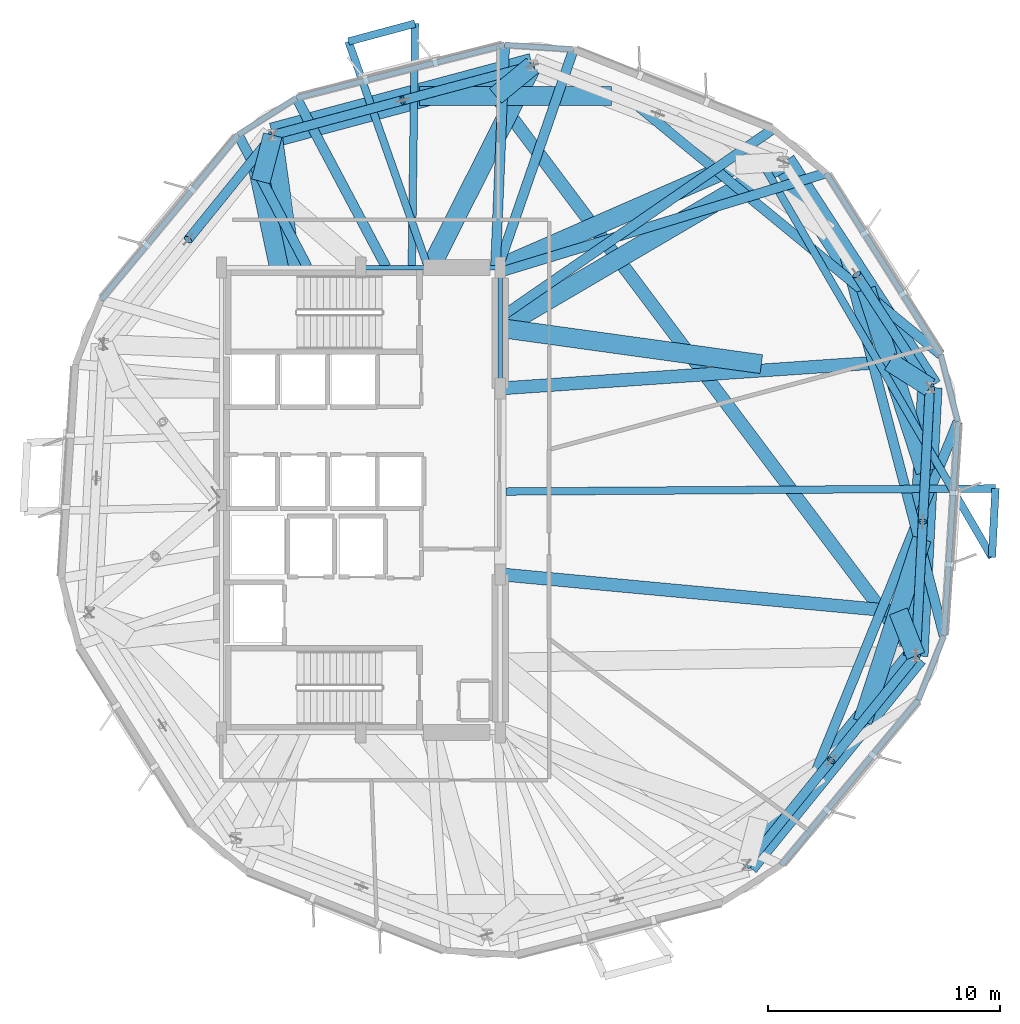
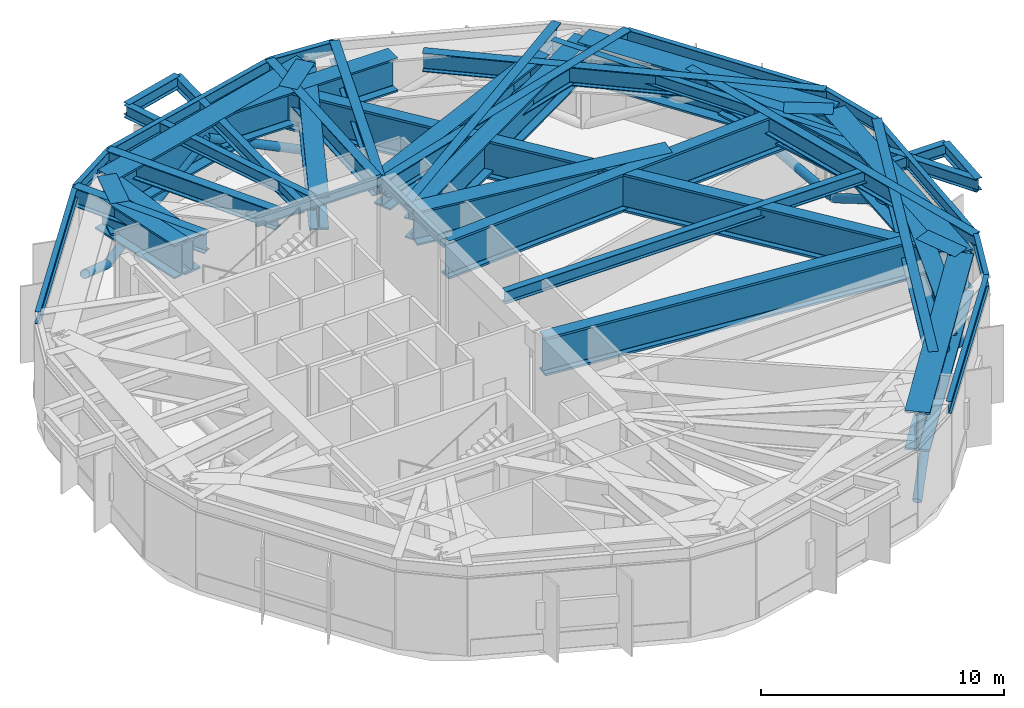
# One storey, part 4 of 13: 46 beams, 8 members.
"""IFC4 building model written with IfcOpenShell, lengths in metres."""

from ifc_helpers import new_model, si_unit, direction, frame, origin, origin_2d, place, context, subcontext, project, spatial, hollow_circle, i_section, extrude, material, material_profile, profile_set, type_object, element, save


model = new_model("IFC4")

# Units and contexts
model_context = context("Model", 3, precision=1e-05, world=origin(), true_north=direction((0.0, 1.0)))
body_context = subcontext(model_context, "Body", "Model", "MODEL_VIEW")
ifc_project = project(units=[si_unit("LENGTHUNIT", "METRE"), si_unit("AREAUNIT", "SQUARE_METRE"), si_unit("VOLUMEUNIT", "CUBIC_METRE"), si_unit("PLANEANGLEUNIT", "RADIAN"), si_unit("MASSUNIT", "GRAM", prefix="KILO")], contexts=[model_context])

# Site, building, storey
site_placement = place(None, origin())
site = spatial("IfcSite", under=ifc_project, at=site_placement, CompositionType="ELEMENT")
building_placement = place(site_placement, origin())
building = spatial("IfcBuilding", under=site, at=building_placement, Name="Soratama Intermodal Tower", CompositionType="ELEMENT")
storey_placement = place(building_placement, frame((0.0, 0.0, 82.60009765625)))
storey = spatial("IfcBuildingStorey", under=building, at=storey_placement, Name="L19", CompositionType="ELEMENT", Elevation=82.60009765625)

# Beams
ifc_material_1 = material(Name="Structural steel ASTM A992 Grade 50", Category="steel")
ifc_material_profile_1 = material_profile(ifc_material_1, i_section(OverallWidth=0.324951171875, OverallDepth=0.615966796875, WebThickness=0.013916015625, FlangeThickness=0.021484375, FilletRadius=0.013916015625, at=origin_2d()), Name="W24X117")
ifc_profile_set_1 = profile_set([ifc_material_profile_1], Name="Structural steel ASTM A992 Grade 50")
beam_type_1 = type_object("IfcBeamType", Name="BM-CANT-W24X117", PredefinedType="BEAM", material=ifc_profile_set_1)
for number, where, z_axis, x_axis, name in (
    (1, (65.7529296875, 22.5380859375, 4.19189453125), (0.052320977967, 0.99863031962, 0.0), (-0.99863031962, 0.052320977967, 0.0), "BM-L19-CBHDR-1"),
    (2, (40.927978515625, 45.498046875, 4.19189453125), (-0.96590869404, -0.258882975064, 0.0), (0.258882975064, -0.96590869404, 0.0), "BM-L19-CBHDR-2"),
):
    element("IfcBeam", number, at=place(storey_placement, frame(where, z_axis=z_axis, x_axis=x_axis)), inside=storey, type_object=beam_type_1, Name=name, PredefinedType="BEAM", context=body_context, shape_type="SweptSolid", body=[
        extrude(i_section(OverallWidth=0.324951171875, OverallDepth=0.615966796875, WebThickness=0.013916015625, FlangeThickness=0.021484375, FilletRadius=0.013916015625, at=origin_2d()), origin(), (0.0, 0.0, 1.0), 2.963134765625),
    ])
beam_1_placement = place(storey_placement, frame((55.587890625, 39.97900390625, 4.19189453125), z_axis=(0.503544640292, -0.863969209655, 0.0), x_axis=(0.863969209655, 0.503544640292, 0.0)))
element("IfcBeam", 3, at=beam_1_placement, inside=storey, type_object=beam_type_1, Name="BM-L19-CANT-1-1", PredefinedType="BEAM", context=body_context, shape_type="SweptSolid", body=[
    extrude(i_section(OverallWidth=0.324951171875, OverallDepth=0.615966796875, WebThickness=0.013916015625, FlangeThickness=0.021484375, FilletRadius=0.013916015625, at=origin_2d()), origin(), (0.0, 0.0, 1.0), 20.18701171875),
])
beam_2_placement = place(storey_placement, frame((44.8349609375, 25.364013671875, 4.19189453125), z_axis=(0.999980066779, 0.006313956281, 0.0), x_axis=(-0.006313956281, 0.999980066779, 0.0)))
element("IfcBeam", 4, at=beam_2_placement, inside=storey, type_object=beam_type_1, Name="BM-L19-CANT-1-2", PredefinedType="BEAM", context=body_context, shape_type="SweptSolid", body=[
    extrude(i_section(OverallWidth=0.324951171875, OverallDepth=0.615966796875, WebThickness=0.013916015625, FlangeThickness=0.021484375, FilletRadius=0.013916015625, at=origin_2d()), origin(), (0.0, 0.0, 1.0), 21.073486328125),
])
beam_3_placement = place(storey_placement, frame((40.7890625, 35.0400390625, 4.19189453125), z_axis=(0.013282048005, 0.99991178971, 0.0), x_axis=(-0.99991178971, 0.013282048005, 0.0)))
element("IfcBeam", 5, at=beam_3_placement, inside=storey, type_object=beam_type_1, Name="BM-L19-CANT-2-1", PredefinedType="BEAM", context=body_context, shape_type="SweptSolid", body=[
    extrude(i_section(OverallWidth=0.324951171875, OverallDepth=0.615966796875, WebThickness=0.013916015625, FlangeThickness=0.021484375, FilletRadius=0.013916015625, at=origin_2d()), origin(), (0.0, 0.0, 1.0), 10.458984375),
])
beam_4_placement = place(storey_placement, frame((41.472900390625, 35.0380859375, 4.19189453125), z_axis=(-0.331605469137, 0.943418153757, 0.0), x_axis=(-0.943418153757, -0.331605469137, 0.0)))
element("IfcBeam", 6, at=beam_4_placement, inside=storey, type_object=beam_type_1, Name="BM-L19-CANT-2-2", PredefinedType="BEAM", context=body_context, shape_type="SweptSolid", body=[
    extrude(i_section(OverallWidth=0.324951171875, OverallDepth=0.615966796875, WebThickness=0.013916015625, FlangeThickness=0.021484375, FilletRadius=0.013916015625, at=origin_2d()), origin(), (0.0, 0.0, 1.0), 10.274169921875),
])
ifc_material_2 = material(Name="Structural steel ASTM A992 Grade 50", Category="steel")
ifc_material_profile_2 = material_profile(ifc_material_2, i_section(OverallWidth=0.19091796875, OverallDepth=0.4599609375, WebThickness=0.010009765625, FlangeThickness=0.01611328125, FilletRadius=0.010986328125, at=origin_2d()), Name="W18X55")
ifc_profile_set_2 = profile_set([ifc_material_profile_2], Name="Structural steel ASTM A992 Grade 50")
beam_type_2 = type_object("IfcBeamType", Name="BM-FLR-W18X55", PredefinedType="BEAM", material=ifc_profile_set_2)
beam_5_placement = place(storey_placement, frame((44.60009765625, 29.800048828125, 4.27001953125), z_axis=(0.0, 1.0, 0.0), x_axis=(-1.0, 0.0, 0.0)))
element("IfcBeam", 7, at=beam_5_placement, inside=storey, type_object=beam_type_2, Name="BM-L19-CRING-05", PredefinedType="BEAM", context=body_context, shape_type="SweptSolid", body=[
    extrude(i_section(OverallWidth=0.19091796875, OverallDepth=0.4599609375, WebThickness=0.010009765625, FlangeThickness=0.01611328125, FilletRadius=0.010986328125, at=origin_2d()), origin(), (0.0, 0.0, 1.0), 5.199951171875),
])
beam_6_placement = place(storey_placement, frame((44.60009765625, 35.0, 4.27001953125), z_axis=(-1.0, 0.0, 0.0), x_axis=(0.0, -1.0, 0.0)))
element("IfcBeam", 8, at=beam_6_placement, inside=storey, type_object=beam_type_2, Name="BM-L19-CRING-06", PredefinedType="BEAM", context=body_context, shape_type="SweptSolid", body=[
    extrude(i_section(OverallWidth=0.19091796875, OverallDepth=0.4599609375, WebThickness=0.010009765625, FlangeThickness=0.01611328125, FilletRadius=0.010986328125, at=origin_2d()), origin(), (0.0, 0.0, 1.0), 6.0),
])
ifc_material_3 = material(Name="Structural steel ASTM A992 Grade 50", Category="steel")
ifc_material_profile_3 = material_profile(ifc_material_3, i_section(OverallWidth=0.423095703125, OverallDepth=0.93896484375, WebThickness=0.02392578125, FlangeThickness=0.042724609375, FilletRadius=0.02392578125, at=origin_2d()), Name="W36X302")
ifc_profile_set_3 = profile_set([ifc_material_profile_3], Name="Structural steel ASTM A992 Grade 50")
beam_type_3 = type_object("IfcBeamType", Name="BM-POD-W36X302", PredefinedType="BEAM", material=ifc_profile_set_3)
beam_7_placement = place(storey_placement, frame((50.549072265625, 41.927001953125, 4.030517578125), z_axis=(0.772997648662, -0.634408886416, 0.0), x_axis=(0.634408886416, 0.772997648662, 0.0)))
element("IfcBeam", 9, at=beam_7_placement, inside=storey, type_object=beam_type_3, Name="BM-L19-TIE0-01", PredefinedType="BEAM", context=body_context, shape_type="SweptSolid", body=[
    extrude(i_section(OverallWidth=0.423095703125, OverallDepth=0.93896484375, WebThickness=0.02392578125, FlangeThickness=0.042724609375, FilletRadius=0.02392578125, at=origin_2d()), origin(), (0.0, 0.0, 1.0), 16.8251953125),
])
beam_8_placement = place(storey_placement, frame((44.637939453125, 34.81298828125, 4.030517578125), z_axis=(0.956642916848, 0.291263333847, 0.0), x_axis=(-0.291263333847, 0.956642916848, 0.0)))
element("IfcBeam", 10, at=beam_8_placement, inside=storey, type_object=beam_type_3, Name="BM-L19-TIE1-01", PredefinedType="BEAM", context=body_context, shape_type="SweptSolid", body=[
    extrude(i_section(OverallWidth=0.423095703125, OverallDepth=0.93896484375, WebThickness=0.02392578125, FlangeThickness=0.042724609375, FilletRadius=0.02392578125, at=origin_2d()), origin(), (0.0, 0.0, 1.0), 14.612548828125),
])
beam_9_placement = place(storey_placement, frame((44.633056640625, 32.885009765625, 4.030517578125), z_axis=(0.822912762701, 0.568167743702, 0.0), x_axis=(-0.568167743702, 0.822912762701, 0.0)))
element("IfcBeam", 11, at=beam_9_placement, inside=storey, type_object=beam_type_3, Name="BM-L19-TIE0-02", PredefinedType="BEAM", context=body_context, shape_type="SweptSolid", body=[
    extrude(i_section(OverallWidth=0.423095703125, OverallDepth=0.93896484375, WebThickness=0.02392578125, FlangeThickness=0.042724609375, FilletRadius=0.02392578125, at=origin_2d()), origin(), (0.0, 0.0, 1.0), 14.22119140625),
])
beam_10_placement = place(storey_placement, frame((44.51611328125, 35.0380859375, 4.030517578125), z_axis=(0.32667221093, 0.945137697167, 0.0), x_axis=(-0.945137697167, 0.32667221093, 0.0)))
element("IfcBeam", 12, at=beam_10_placement, inside=storey, type_object=beam_type_3, Name="BM-L19-TIE1-02", PredefinedType="BEAM", context=body_context, shape_type="SweptSolid", body=[
    extrude(i_section(OverallWidth=0.423095703125, OverallDepth=0.93896484375, WebThickness=0.02392578125, FlangeThickness=0.042724609375, FilletRadius=0.02392578125, at=origin_2d()), origin(), (0.0, 0.0, 1.0), 9.890625),
])
beam_11_placement = place(storey_placement, frame((44.39111328125, 35.0400390625, 4.030517578125), z_axis=(0.04147737963, 0.999139443211, 0.0), x_axis=(-0.999139443211, 0.04147737963, 0.0)))
element("IfcBeam", 13, at=beam_11_placement, inside=storey, type_object=beam_type_3, Name="BM-L19-TIE0-03", PredefinedType="BEAM", context=body_context, shape_type="SweptSolid", body=[
    extrude(i_section(OverallWidth=0.423095703125, OverallDepth=0.93896484375, WebThickness=0.02392578125, FlangeThickness=0.042724609375, FilletRadius=0.02392578125, at=origin_2d()), origin(), (0.0, 0.0, 1.0), 9.54736328125),
])
beam_12_placement = place(storey_placement, frame((39.678955078125, 35.034912109375, 4.030517578125), z_axis=(-0.468487882007, 0.883469922755, 0.0), x_axis=(-0.883469922755, -0.468487882007, 0.0)))
element("IfcBeam", 14, at=beam_12_placement, inside=storey, type_object=beam_type_3, Name="BM-L19-TIE1-03", PredefinedType="BEAM", context=body_context, shape_type="SweptSolid", body=[
    extrude(i_section(OverallWidth=0.423095703125, OverallDepth=0.93896484375, WebThickness=0.02392578125, FlangeThickness=0.042724609375, FilletRadius=0.02392578125, at=origin_2d()), origin(), (0.0, 0.0, 1.0), 8.222412109375),
])
beam_13_placement = place(storey_placement, frame((36.291015625, 35.034912109375, 4.030517578125), z_axis=(-0.46365257087, 0.886017095504, 0.0), x_axis=(-0.886017095504, -0.46365257087, 0.0)))
element("IfcBeam", 15, at=beam_13_placement, inside=storey, type_object=beam_type_3, Name="BM-L19-TIE0-04", PredefinedType="BEAM", context=body_context, shape_type="SweptSolid", body=[
    extrude(i_section(OverallWidth=0.423095703125, OverallDepth=0.93896484375, WebThickness=0.02392578125, FlangeThickness=0.042724609375, FilletRadius=0.02392578125, at=origin_2d()), origin(), (0.0, 0.0, 1.0), 6.409912109375),
])
beam_14_placement = place(storey_placement, frame((59.43896484375, 35.43310546875, 4.030517578125), z_axis=(0.252482147204, -0.967601552987, 0.0), x_axis=(0.967601552987, 0.252482147204, 0.0)))
element("IfcBeam", 16, at=beam_14_placement, inside=storey, type_object=beam_type_3, Name="BM-L19-TIE0-10", PredefinedType="BEAM", context=body_context, shape_type="SweptSolid", body=[
    extrude(i_section(OverallWidth=0.423095703125, OverallDepth=0.93896484375, WebThickness=0.02392578125, FlangeThickness=0.042724609375, FilletRadius=0.02392578125, at=origin_2d()), origin(), (0.0, 0.0, 1.0), 16.8251953125),
])
beam_15_placement = place(storey_placement, frame((57.928955078125, 12.694091796875, 4.030517578125), z_axis=(0.375697072142, 0.926742526263, 0.0), x_axis=(-0.926742526263, 0.375697072142, 0.0)))
element("IfcBeam", 17, at=beam_15_placement, inside=storey, type_object=beam_type_3, Name="BM-L19-TIE1-10", PredefinedType="BEAM", context=body_context, shape_type="SweptSolid", body=[
    extrude(i_section(OverallWidth=0.423095703125, OverallDepth=0.93896484375, WebThickness=0.02392578125, FlangeThickness=0.042724609375, FilletRadius=0.02392578125, at=origin_2d()), origin(), (0.0, 0.0, 1.0), 16.923583984375),
])
ifc_material_4 = material(Name="Structural steel ASTM A992 Grade 50", Category="steel")
ifc_material_profile_4 = material_profile(ifc_material_4, i_section(OverallWidth=0.22900390625, OverallDepth=0.612060546875, WebThickness=0.011962890625, FlangeThickness=0.01953125, FilletRadius=0.012939453125, at=origin_2d()), Name="W24X84")
ifc_profile_set_4 = profile_set([ifc_material_profile_4], Name="Structural steel ASTM A992 Grade 50")
beam_type_4 = type_object("IfcBeamType", Name="BM-SPN-W24X84", PredefinedType="SPANDREL", material=ifc_profile_set_4)
beam_16_placement = place(storey_placement, frame((63.554931640625, 31.2529296875, 4.19384765625), z_axis=(-0.534106248728, 0.845417361467, 0.0), x_axis=(-0.845417361467, -0.534106248728, 0.0)))
element("IfcBeam", 18, at=beam_16_placement, inside=storey, type_object=beam_type_4, Name="BS-L19-F01", PredefinedType="SPANDREL", context=body_context, shape_type="SweptSolid", body=[
    extrude(i_section(OverallWidth=0.22900390625, OverallDepth=0.612060546875, WebThickness=0.011962890625, FlangeThickness=0.01953125, FilletRadius=0.012939453125, at=origin_2d()), origin(), (0.0, 0.0, 1.0), 9.245361328125),
])
beam_17_placement = place(storey_placement, frame((47.7470703125, 44.385986328125, 4.19384765625), z_axis=(-0.997878478899, 0.065104080898, 0.0), x_axis=(-0.065104080898, -0.997878478899, 0.0)))
element("IfcBeam", 19, at=beam_17_placement, inside=storey, type_object=beam_type_4, Name="BS-L19-CRN02", PredefinedType="SPANDREL", context=body_context, shape_type="SweptSolid", body=[
    extrude(i_section(OverallWidth=0.22900390625, OverallDepth=0.612060546875, WebThickness=0.011962890625, FlangeThickness=0.01953125, FilletRadius=0.012939453125, at=origin_2d()), origin(), (0.0, 0.0, 1.0), 2.96630859375),
])
beam_18_placement = place(storey_placement, frame((44.787109375, 44.5791015625, 4.19384765625), z_axis=(-0.969116567372, -0.246603079553, 0.0), x_axis=(0.246603079553, -0.969116567372, 0.0)))
element("IfcBeam", 20, at=beam_18_placement, inside=storey, type_object=beam_type_4, Name="BS-L19-F03", PredefinedType="SPANDREL", context=body_context, shape_type="SweptSolid", body=[
    extrude(i_section(OverallWidth=0.22900390625, OverallDepth=0.612060546875, WebThickness=0.011962890625, FlangeThickness=0.01953125, FilletRadius=0.012939453125, at=origin_2d()), origin(), (0.0, 0.0, 1.0), 9.245849609375),
])
beam_19_placement = place(storey_placement, frame((35.826904296875, 42.299072265625, 4.19384765625), z_axis=(-0.845324600823, -0.53425304795, 0.0), x_axis=(0.53425304795, -0.845324600823, 0.0)))
element("IfcBeam", 21, at=beam_19_placement, inside=storey, type_object=beam_type_4, Name="BS-L19-CRN03", PredefinedType="SPANDREL", context=body_context, shape_type="SweptSolid", body=[
    extrude(i_section(OverallWidth=0.22900390625, OverallDepth=0.612060546875, WebThickness=0.011962890625, FlangeThickness=0.01953125, FilletRadius=0.012939453125, at=origin_2d()), origin(), (0.0, 0.0, 1.0), 2.966796875),
])
for number, where, z_axis, x_axis, name in (
    (22, (33.319091796875, 40.714111328125, 4.19384765625), (-0.639053826142, -0.769162016283, 0.0), (0.769162016283, -0.639053826142, 0.0), "BS-L19-F04"),
    (23, (56.680908203125, 9.285888671875, 4.19384765625), (0.639053826142, 0.769162016283, 0.0), (-0.769162016283, 0.639053826142, 0.0), "BS-L19-F09"),
):
    element("IfcBeam", number, at=place(storey_placement, frame(where, z_axis=z_axis, x_axis=x_axis)), inside=storey, type_object=beam_type_4, Name=name, PredefinedType="SPANDREL", context=body_context, shape_type="SweptSolid", body=[
        extrude(i_section(OverallWidth=0.22900390625, OverallDepth=0.612060546875, WebThickness=0.011962890625, FlangeThickness=0.01953125, FilletRadius=0.012939453125, at=origin_2d()), origin(), (0.0, 0.0, 1.0), 9.2451171875),
    ])
beam_20_placement = place(storey_placement, frame((62.589111328125, 16.39697265625, 4.19384765625), z_axis=(0.370070778615, 0.929003562327, 0.0), x_axis=(-0.929003562327, 0.370070778615, 0.0)))
element("IfcBeam", 24, at=beam_20_placement, inside=storey, type_object=beam_type_4, Name="BS-L19-CRN09", PredefinedType="SPANDREL", context=body_context, shape_type="SweptSolid", body=[
    extrude(i_section(OverallWidth=0.22900390625, OverallDepth=0.612060546875, WebThickness=0.011962890625, FlangeThickness=0.01953125, FilletRadius=0.012939453125, at=origin_2d()), origin(), (0.0, 0.0, 1.0), 2.966796875),
])
beam_21_placement = place(storey_placement, frame((63.68701171875, 19.153076171875, 4.19384765625), z_axis=(0.064915060722, 0.997890793069, 0.0), x_axis=(-0.997890793069, 0.064915060722, 0.0)))
element("IfcBeam", 25, at=beam_21_placement, inside=storey, type_object=beam_type_4, Name="BS-L19-F10", PredefinedType="SPANDREL", context=body_context, shape_type="SweptSolid", body=[
    extrude(i_section(OverallWidth=0.22900390625, OverallDepth=0.612060546875, WebThickness=0.011962890625, FlangeThickness=0.01953125, FilletRadius=0.012939453125, at=origin_2d()), origin(), (0.0, 0.0, 1.0), 9.244384765625),
])
beam_22_placement = place(storey_placement, frame((64.287109375, 28.3779296875, 4.19384765625), z_axis=(-0.246793097609, 0.969068195213, 0.0), x_axis=(-0.969068195213, -0.246793097609, 0.0)))
element("IfcBeam", 26, at=beam_22_placement, inside=storey, type_object=beam_type_4, Name="BS-L19-CRN10", PredefinedType="SPANDREL", context=body_context, shape_type="SweptSolid", body=[
    extrude(i_section(OverallWidth=0.22900390625, OverallDepth=0.612060546875, WebThickness=0.011962890625, FlangeThickness=0.01953125, FilletRadius=0.012939453125, at=origin_2d()), origin(), (0.0, 0.0, 1.0), 2.966796875),
])
ifc_material_5 = material(Name="Structural steel ASTM A992 Grade 50", Category="steel")
ifc_material_profile_5 = material_profile(ifc_material_5, i_section(OverallWidth=0.56005859375, OverallDepth=1.919921875, WebThickness=0.05810546875, FlangeThickness=0.110107421875, FilletRadius=0.02392578125, at=origin_2d()), Name="PG2150X720")
ifc_profile_set_5 = profile_set([ifc_material_profile_5], Name="Structural steel ASTM A992 Grade 50")
beam_type_5 = type_object("IfcBeamType", Name="BM-ZSTEP-LONG", PredefinedType="BEAM", material=ifc_profile_set_5)
beam_23_placement = place(storey_placement, frame((61.35107421875, 30.950927734375, 3.539794921875), z_axis=(-0.99764812202, -0.06854359656, 0.0), x_axis=(0.06854359656, -0.99764812202, 0.0)))
element("IfcBeam", 27, at=beam_23_placement, inside=storey, type_object=beam_type_5, Name="BM-L19-ZSTEP-B01", PredefinedType="BEAM", context=body_context, shape_type="SweptSolid", body=[
    extrude(i_section(OverallWidth=0.56005859375, OverallDepth=1.919921875, WebThickness=0.05810546875, FlangeThickness=0.110107421875, FilletRadius=0.02392578125, at=origin_2d()), origin(), (0.0, 0.0, 1.0), 16.79052734375),
])
beam_24_placement = place(storey_placement, frame((44.39306640625, 42.388916015625, 3.539794921875), z_axis=(0.600224274505, -0.799831744991, 0.0), x_axis=(0.799831744991, 0.600224274505, 0.0)))
element("IfcBeam", 28, at=beam_24_placement, inside=storey, type_object=beam_type_5, Name="BM-L19-ZSTEP-B03", PredefinedType="BEAM", context=body_context, shape_type="SweptSolid", body=[
    extrude(i_section(OverallWidth=0.56005859375, OverallDepth=1.919921875, WebThickness=0.05810546875, FlangeThickness=0.110107421875, FilletRadius=0.02392578125, at=origin_2d()), origin(), (0.0, 0.0, 1.0), 30.128662109375),
])
beam_25_placement = place(storey_placement, frame((61.72607421875, 20.2041015625, 3.539794921875), z_axis=(-0.995686011515, 0.092786671855, 0.0), x_axis=(-0.092786671855, -0.995686011515, 0.0)))
element("IfcBeam", 29, at=beam_25_placement, inside=storey, type_object=beam_type_5, Name="BM-L19-ZSTEP-B10", PredefinedType="BEAM", context=body_context, shape_type="SweptSolid", body=[
    extrude(i_section(OverallWidth=0.56005859375, OverallDepth=1.919921875, WebThickness=0.05810546875, FlangeThickness=0.110107421875, FilletRadius=0.02392578125, at=origin_2d()), origin(), (0.0, 0.0, 1.0), 17.2001953125),
])
ifc_material_6 = material(Name="Structural steel ASTM A992 Grade 50", Category="steel")
ifc_material_profile_6 = material_profile(ifc_material_6, i_section(OverallWidth=0.820068359375, OverallDepth=1.699951171875, WebThickness=0.053955078125, FlangeThickness=0.087890625, FilletRadius=0.02392578125, at=origin_2d()), Name="PG1580X800")
ifc_profile_set_6 = profile_set([ifc_material_profile_6], Name="Structural steel ASTM A992 Grade 50")
beam_type_6 = type_object("IfcBeamType", Name="BM-ZSTEP-PG1580", PredefinedType="BEAM", material=ifc_profile_set_6)
beam_26_placement = place(storey_placement, frame((60.3359375, 34.072998046875, 3.64990234375), z_axis=(0.30912412547, -0.951021700621, 0.0), x_axis=(0.951021700621, 0.30912412547, 0.0)))
element("IfcBeam", 30, at=beam_26_placement, inside=storey, type_object=beam_type_6, Name="BM-L19-ZCHORD-01", PredefinedType="BEAM", context=body_context, shape_type="SweptSolid", body=[
    extrude(i_section(OverallWidth=0.820068359375, OverallDepth=1.699951171875, WebThickness=0.053955078125, FlangeThickness=0.087890625, FilletRadius=0.02392578125, at=origin_2d()), origin(), (0.0, 0.0, 1.0), 8.26904296875),
])
beam_27_placement = place(storey_placement, frame((41.110107421875, 42.388916015625, 3.64990234375), z_axis=(1.0, 0.0, 0.0), x_axis=(0.0, 1.0, 0.0)))
element("IfcBeam", 31, at=beam_27_placement, inside=storey, type_object=beam_type_6, Name="BM-L19-ZCHORD-03", PredefinedType="BEAM", context=body_context, shape_type="SweptSolid", body=[
    extrude(i_section(OverallWidth=0.820068359375, OverallDepth=1.699951171875, WebThickness=0.053955078125, FlangeThickness=0.087890625, FilletRadius=0.02392578125, at=origin_2d()), origin(), (0.0, 0.0, 1.0), 8.268798828125),
])
beam_28_placement = place(storey_placement, frame((34.06005859375, 39.781005859375, 3.64990234375), z_axis=(0.207840236575, -0.978162786074, 0.0), x_axis=(0.978162786074, 0.207840236575, 0.0)))
element("IfcBeam", 32, at=beam_28_placement, inside=storey, type_object=beam_type_6, Name="BM-L19-ZCHORD-04", PredefinedType="BEAM", context=body_context, shape_type="SweptSolid", body=[
    extrude(i_section(OverallWidth=0.820068359375, OverallDepth=1.699951171875, WebThickness=0.053955078125, FlangeThickness=0.087890625, FilletRadius=0.02392578125, at=origin_2d()), origin(), (0.0, 0.0, 1.0), 4.8876953125),
])
beam_29_placement = place(storey_placement, frame((62.739990234375, 23.325927734375, 3.64990234375), z_axis=(-0.308990599174, -0.951065092211, 0.0), x_axis=(0.951065092211, -0.308990599174, 0.0)))
element("IfcBeam", 33, at=beam_29_placement, inside=storey, type_object=beam_type_6, Name="BM-L19-ZCHORD-10", PredefinedType="BEAM", context=body_context, shape_type="SweptSolid", body=[
    extrude(i_section(OverallWidth=0.820068359375, OverallDepth=1.699951171875, WebThickness=0.053955078125, FlangeThickness=0.087890625, FilletRadius=0.02392578125, at=origin_2d()), origin(), (0.0, 0.0, 1.0), 8.2685546875),
])
beam_30_placement = place(storey_placement, frame((44.60009765625, 32.39990234375, 3.64990234375), z_axis=(0.990574739268, -0.136973303693, 0.0), x_axis=(0.136973303693, 0.990574739268, 0.0)))
element("IfcBeam", 34, at=beam_30_placement, inside=storey, type_object=beam_type_6, Name="BM-L19-RAD-01", PredefinedType="BEAM", context=body_context, shape_type="SweptSolid", body=[
    extrude(i_section(OverallWidth=0.820068359375, OverallDepth=1.699951171875, WebThickness=0.053955078125, FlangeThickness=0.087890625, FilletRadius=0.02392578125, at=origin_2d()), origin(), (0.0, 0.0, 1.0), 11.337890625),
])
beam_31_placement = place(storey_placement, frame((44.60009765625, 32.39990234375, 3.64990234375), z_axis=(0.862461222741, 0.506123146346, 0.0), x_axis=(-0.506123146346, 0.862461222741, 0.0)))
element("IfcBeam", 35, at=beam_31_placement, inside=storey, type_object=beam_type_6, Name="BM-L19-RAD-02", PredefinedType="BEAM", context=body_context, shape_type="SweptSolid", body=[
    extrude(i_section(OverallWidth=0.820068359375, OverallDepth=1.699951171875, WebThickness=0.053955078125, FlangeThickness=0.087890625, FilletRadius=0.02392578125, at=origin_2d()), origin(), (0.0, 0.0, 1.0), 14.12353515625),
])
beam_32_placement = place(storey_placement, frame((41.60009765625, 35.0, 3.64990234375), z_axis=(0.449910017166, 0.893073891934, 0.0), x_axis=(-0.893073891934, 0.449910017166, 0.0)))
element("IfcBeam", 36, at=beam_32_placement, inside=storey, type_object=beam_type_6, Name="BM-L19-RAD-03", PredefinedType="BEAM", context=body_context, shape_type="SweptSolid", body=[
    extrude(i_section(OverallWidth=0.820068359375, OverallDepth=1.699951171875, WebThickness=0.053955078125, FlangeThickness=0.087890625, FilletRadius=0.02392578125, at=origin_2d()), origin(), (0.0, 0.0, 1.0), 9.735107421875),
])
beam_33_placement = place(storey_placement, frame((35.60009765625, 35.0, 3.64990234375), z_axis=(-0.138332473065, 0.990385847484, 0.0), x_axis=(-0.990385847484, -0.138332473065, 0.0)))
element("IfcBeam", 37, at=beam_33_placement, inside=storey, type_object=beam_type_6, Name="BM-L19-RAD-04", PredefinedType="BEAM", context=body_context, shape_type="SweptSolid", body=[
    extrude(i_section(OverallWidth=0.820068359375, OverallDepth=1.699951171875, WebThickness=0.053955078125, FlangeThickness=0.087890625, FilletRadius=0.02392578125, at=origin_2d()), origin(), (0.0, 0.0, 1.0), 5.75537109375),
])
ifc_material_7 = material(Name="Structural steel ASTM A992 Grade 50", Category="steel")
ifc_material_profile_7 = material_profile(ifc_material_7, i_section(OverallWidth=0.820068359375, OverallDepth=1.60205078125, WebThickness=0.055908203125, FlangeThickness=0.092041015625, FilletRadius=0.02392578125, at=origin_2d()), Name="PG1600X650")
ifc_profile_set_7 = profile_set([ifc_material_profile_7], Name="Structural steel ASTM A992 Grade 50")
beam_type_7 = type_object("IfcBeamType", Name="BM-ZSTEP-PG1600", PredefinedType="BEAM", material=ifc_profile_set_7)
beam_34_placement = place(storey_placement, frame((63.08203125, 29.844970703125, 3.698974609375), z_axis=(-0.842681280512, 0.538412722245, 0.0), x_axis=(-0.538412722245, -0.842681280512, 0.0)))
element("IfcBeam", 38, at=beam_34_placement, inside=storey, type_object=beam_type_7, Name="BM-L19-ZSTEP-A01", PredefinedType="BEAM", context=body_context, shape_type="SweptSolid", body=[
    extrude(i_section(OverallWidth=0.820068359375, OverallDepth=1.60205078125, WebThickness=0.055908203125, FlangeThickness=0.092041015625, FilletRadius=0.02392578125, at=origin_2d()), origin(), (0.0, 0.0, 1.0), 2.05419921875),
])
beam_35_placement = place(storey_placement, frame((54.72998046875, 39.425048828125, 3.698974609375), z_axis=(-0.91638224797, -0.400304353718, 0.0), x_axis=(0.400304353718, -0.91638224797, 0.0)))
element("IfcBeam", 39, at=beam_35_placement, inside=storey, type_object=beam_type_7, Name="BM-L19-ZSTEP-B02", PredefinedType="BEAM", context=body_context, shape_type="SweptSolid", body=[
    extrude(i_section(OverallWidth=0.820068359375, OverallDepth=1.60205078125, WebThickness=0.055908203125, FlangeThickness=0.092041015625, FilletRadius=0.02392578125, at=origin_2d()), origin(), (0.0, 0.0, 1.0), 11.05419921875),
])
beam_36_placement = place(storey_placement, frame((45.97998046875, 43.694091796875, 3.698974609375), z_axis=(-0.772334804661, -0.635215671649, 0.0), x_axis=(0.635215671649, -0.772334804661, 0.0)))
element("IfcBeam", 40, at=beam_36_placement, inside=storey, type_object=beam_type_7, Name="BM-L19-ZSTEP-A03", PredefinedType="BEAM", context=body_context, shape_type="SweptSolid", body=[
    extrude(i_section(OverallWidth=0.820068359375, OverallDepth=1.60205078125, WebThickness=0.055908203125, FlangeThickness=0.092041015625, FilletRadius=0.02392578125, at=origin_2d()), origin(), (0.0, 0.0, 1.0), 2.0546875),
])
beam_37_placement = place(storey_placement, frame((34.803955078125, 40.699951171875, 3.698974609375), z_axis=(-0.251052871311, -0.967973375567, 0.0), x_axis=(0.967973375567, -0.251052871311, 0.0)))
element("IfcBeam", 41, at=beam_37_placement, inside=storey, type_object=beam_type_7, Name="BM-L19-ZSTEP-A04", PredefinedType="BEAM", context=body_context, shape_type="SweptSolid", body=[
    extrude(i_section(OverallWidth=0.820068359375, OverallDepth=1.60205078125, WebThickness=0.055908203125, FlangeThickness=0.092041015625, FilletRadius=0.02392578125, at=origin_2d()), origin(), (0.0, 0.0, 1.0), 2.054931640625),
])
beam_38_placement = place(storey_placement, frame((62.47705078125, 18.291015625, 3.698974609375), z_axis=(-0.365402437824, 0.9308496433, 0.0), x_axis=(-0.9308496433, -0.365402437824, 0.0)))
element("IfcBeam", 42, at=beam_38_placement, inside=storey, type_object=beam_type_7, Name="BM-L19-ZSTEP-A10", PredefinedType="BEAM", context=body_context, shape_type="SweptSolid", body=[
    extrude(i_section(OverallWidth=0.820068359375, OverallDepth=1.60205078125, WebThickness=0.055908203125, FlangeThickness=0.092041015625, FilletRadius=0.02392578125, at=origin_2d()), origin(), (0.0, 0.0, 1.0), 2.05517578125),
])
ifc_material_8 = material(Name="Structural steel ASTM A992 Grade 50", Category="steel")
ifc_material_profile_8 = material_profile(ifc_material_8, i_section(OverallWidth=1.06005859375, OverallDepth=1.9599609375, WebThickness=0.05810546875, FlangeThickness=0.095947265625, FilletRadius=0.02392578125, at=origin_2d()), Name="PG2400X900")
ifc_profile_set_8 = profile_set([ifc_material_profile_8], Name="Structural steel ASTM A992 Grade 50")
beam_type_8 = type_object("IfcBeamType", Name="BM-ZSTEP-PG2400", PredefinedType="BEAM", material=ifc_profile_set_8)
beam_39_placement = place(storey_placement, frame((63.08203125, 29.844970703125, 3.52001953125), z_axis=(-0.544623370352, 0.838680740489, 0.0), x_axis=(-0.838680740489, -0.544623370352, 0.0)))
element("IfcBeam", 43, at=beam_39_placement, inside=storey, type_object=beam_type_8, Name="BM-L19-RING-01", PredefinedType="BEAM", context=body_context, shape_type="SweptSolid", body=[
    extrude(i_section(OverallWidth=1.06005859375, OverallDepth=1.9599609375, WebThickness=0.05810546875, FlangeThickness=0.095947265625, FilletRadius=0.02392578125, at=origin_2d()), origin(), (0.0, 0.0, 1.0), 11.569580078125),
])
beam_40_placement = place(storey_placement, frame((45.97998046875, 43.694091796875, 3.52001953125), z_axis=(-0.965935902196, -0.258781438376, 0.0), x_axis=(0.258781438376, -0.965935902196, 0.0)))
element("IfcBeam", 44, at=beam_40_placement, inside=storey, type_object=beam_type_8, Name="BM-L19-RING-03", PredefinedType="BEAM", context=body_context, shape_type="SweptSolid", body=[
    extrude(i_section(OverallWidth=1.06005859375, OverallDepth=1.9599609375, WebThickness=0.05810546875, FlangeThickness=0.095947265625, FilletRadius=0.02392578125, at=origin_2d()), origin(), (0.0, 0.0, 1.0), 11.570068359375),
])
beam_41_placement = place(storey_placement, frame((55.196044921875, 9.300048828125, 3.52001953125), z_axis=(0.629334198857, 0.777134779912, 0.0), x_axis=(-0.777134779912, 0.629334198857, 0.0)))
element("IfcBeam", 45, at=beam_41_placement, inside=storey, type_object=beam_type_8, Name="BM-L19-RING-09", PredefinedType="BEAM", context=body_context, shape_type="SweptSolid", body=[
    extrude(i_section(OverallWidth=1.06005859375, OverallDepth=1.9599609375, WebThickness=0.05810546875, FlangeThickness=0.095947265625, FilletRadius=0.02392578125, at=origin_2d()), origin(), (0.0, 0.0, 1.0), 11.5693359375),
])
beam_42_placement = place(storey_placement, frame((62.47705078125, 18.291015625, 3.52001953125), z_axis=(0.052289698717, 0.998631957935, 0.0), x_axis=(-0.998631957935, 0.052289698717, 0.0)))
element("IfcBeam", 46, at=beam_42_placement, inside=storey, type_object=beam_type_8, Name="BM-L19-RING-10", PredefinedType="BEAM", context=body_context, shape_type="SweptSolid", body=[
    extrude(i_section(OverallWidth=1.06005859375, OverallDepth=1.9599609375, WebThickness=0.05810546875, FlangeThickness=0.095947265625, FilletRadius=0.02392578125, at=origin_2d()), origin(), (0.0, 0.0, 1.0), 11.56982421875),
])

# Members
ifc_material_9 = material(Name="Structural steel ASTM A500 Grade C", Category="steel")
ifc_material_profile_9 = material_profile(ifc_material_9, hollow_circle(Radius=0.203125, WallThickness=0.01611328125, at=origin_2d()), Name="CHS406X16")
ifc_profile_set_9 = profile_set([ifc_material_profile_9], Name="Structural steel ASTM A500 Grade C")
member_type = type_object("IfcMemberType", Name="MB-BLT-CHS406", PredefinedType="BRACE", material=ifc_profile_set_9)
for number, where, z_axis, x_axis, name in (
    (47, (63.08203125, 29.84521484375, 0.010009765625), (-0.46564064327, 0.716989168727, 0.518753624819), (-0.838658582208, -0.544657490987, 0.0), "L19 Belt Truss Brace A 01"),
    (48, (45.979736328125, 43.6943359375, 0.010009765625), (-0.82579542187, -0.221287338766, 0.518742551677), (0.258836639903, -0.965921111605, 0.0), "L19 Belt Truss Brace A 03"),
    (49, (34.804443359375, 40.699951171875, 0.010009765625), (0.82580201486, 0.221253023774, 0.518746693217), (-0.258797262849, 0.965931662563, 0.0), "L19 Belt Truss Brace B 03"),
    (50, (34.804443359375, 40.699951171875, 0.010009765625), (-0.538040968453, -0.664396887949, 0.518737594116), (0.777132817115, -0.629336622614, 0.0), "L19 Belt Truss Brace A 04"),
    (51, (55.195556640625, 9.300048828125, 0.010009765625), (0.538040968453, 0.664396887949, 0.518737594116), (-0.777132817115, 0.629336622614, 0.0), "L19 Belt Truss Brace A 09"),
    (52, (62.4765625, 18.29150390625, 0.010009765625), (-0.538002433901, -0.664429938991, 0.518735228502), (0.777170171517, -0.62929049294, 0.0), "L19 Belt Truss Brace B 09"),
):
    element("IfcMember", number, at=place(storey_placement, frame(where, z_axis=z_axis, x_axis=x_axis)), inside=storey, type_object=member_type, Name=name, PredefinedType="BRACE", context=body_context, shape_type="SweptSolid", body=[
        extrude(hollow_circle(Radius=0.203125, WallThickness=0.01611328125, at=origin_2d()), origin(), (0.0, 0.0, 1.0), 6.766357421875),
    ])
member_1_placement = place(storey_placement, frame((62.4765625, 18.29150390625, 0.010009765625), z_axis=(0.044742354914, 0.853749080343, 0.518758739195), x_axis=(-0.998629579898, 0.052335094843, 0.0)))
element("IfcMember", 53, at=member_1_placement, inside=storey, type_object=member_type, Name="L19 Belt Truss Brace A 10", PredefinedType="BRACE", context=body_context, shape_type="SweptSolid", body=[
    extrude(hollow_circle(Radius=0.203125, WallThickness=0.01611328125, at=origin_2d()), origin(), (0.0, 0.0, 1.0), 6.76611328125),
])
member_2_placement = place(storey_placement, frame((63.08203125, 29.84521484375, 0.010009765625), z_axis=(-0.044739598437, -0.853768643393, 0.518726779616), x_axis=(0.998629811069, -0.052330683587, 0.0)))
element("IfcMember", 54, at=member_2_placement, inside=storey, type_object=member_type, Name="L19 Belt Truss Brace B 10", PredefinedType="BRACE", context=body_context, shape_type="SweptSolid", body=[
    extrude(hollow_circle(Radius=0.203125, WallThickness=0.01611328125, at=origin_2d()), origin(), (0.0, 0.0, 1.0), 6.7666015625),
])

save(model, "model.ifc")
